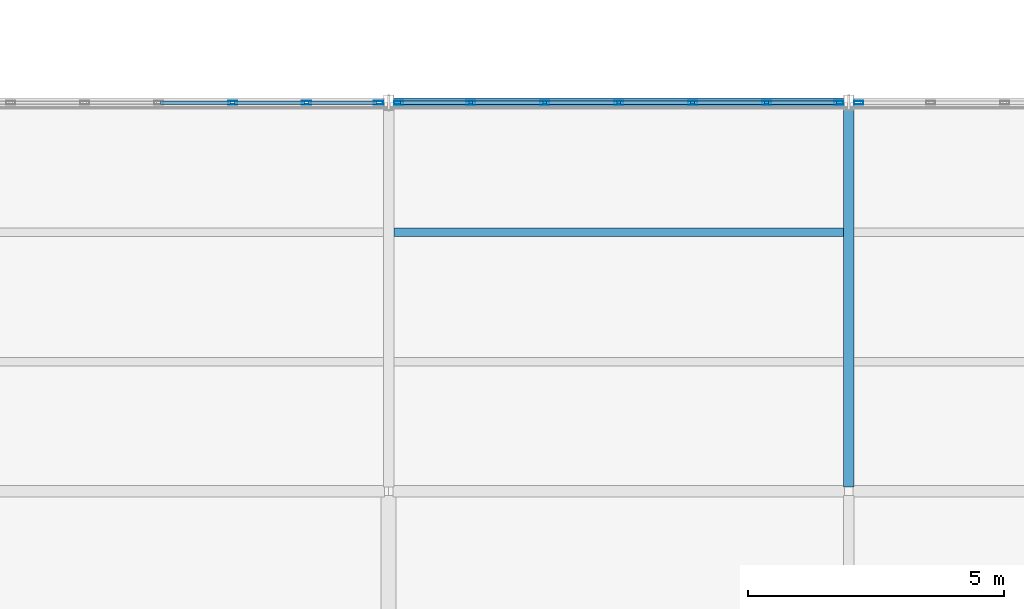
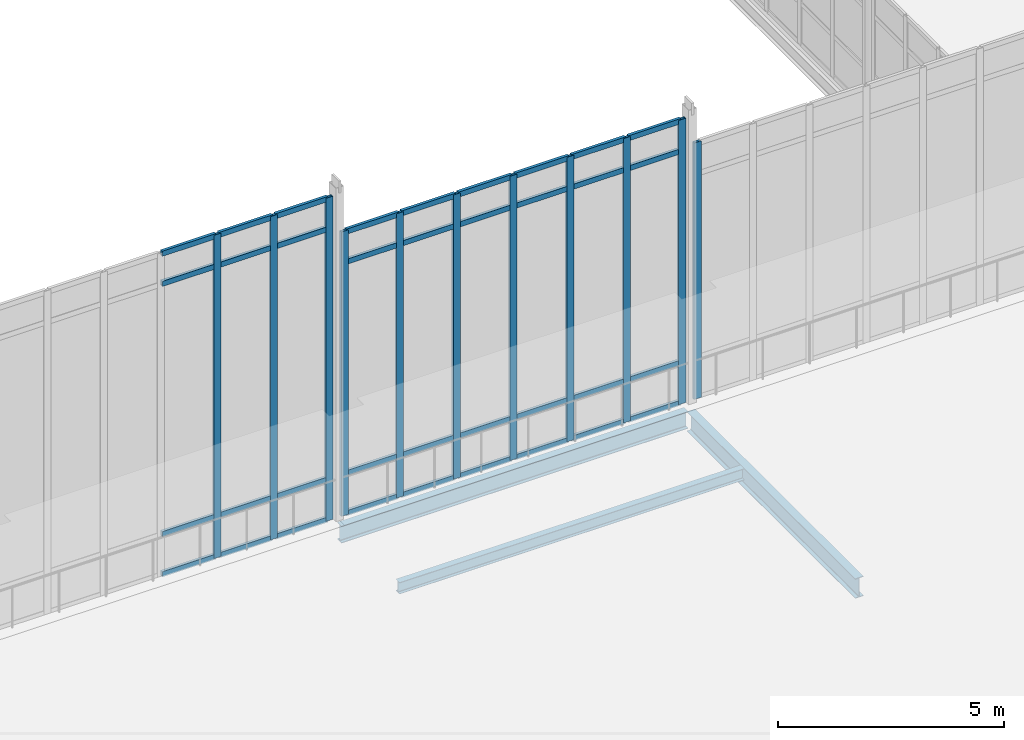
# One storey, part 51 of 166: 47 members, 3 beams, 3 elements without a shape of their own.
"""IFC4 building model written with IfcOpenShell, lengths in metres."""

import ifcopenshell
import ifcopenshell.guid

model = None  # the IFC model being written
_history = None  # IfcOwnerHistory: only IFC2X3 demands one
_inside = {}  # id of a spatial element -> (the spatial element, [elements in it])
_under = {}  # id of a project, library or spatial element -> (it, [spatial elements below it])
_declared = {}  # id of a project -> (the project, [libraries it declares])
_typed = {}  # id of a type object -> (the type object, [elements of that type])
_made_of = {}  # id of a material, layer set ... -> (it, [elements and type objects made of it])


def new_model(schema):
    """Start an empty IFC model of exactly this schema.

    Asked for "IFC4X3", IfcOpenShell would pick the latest addendum, in which some entities
    have other attributes; the version numbers below select the first issue.
    IFC2X3 requires an IfcOwnerHistory on every rooted entity: one is made here for all.
    """
    global model, _history
    if schema == "IFC4X3":
        model = ifcopenshell.file(schema_version=(4, 3, 0, 0))
    else:
        model = ifcopenshell.file(schema=schema)
    _inside.clear()
    _under.clear()
    _declared.clear()
    _typed.clear()
    _made_of.clear()
    _history = None
    if model.schema == "IFC2X3":
        org = make("IfcOrganization", Name="unknown")
        user = make(
            "IfcPersonAndOrganization",
            ThePerson=make("IfcPerson", FamilyName="unknown"),
            TheOrganization=org,
        )
        app = make(
            "IfcApplication",
            ApplicationDeveloper=org,
            Version="unknown",
            ApplicationFullName="unknown",
            ApplicationIdentifier="unknown",
        )
        _history = make(
            "IfcOwnerHistory",
            OwningUser=user,
            OwningApplication=app,
            ChangeAction="ADDED",
            CreationDate=0,
        )
    return model


def make(cls, **values):
    """One entity of the class cls with the attributes given. An attribute that is None is left unset."""
    return model.create_entity(
        cls, **{name: value for name, value in values.items() if value is not None}
    )


def rooted(cls, **values):
    """An entity with a GlobalId (a new one), such as an element, a storey or a relation."""
    return make(cls, GlobalId=ifcopenshell.guid.new(), OwnerHistory=_history, **values)


def si_unit(unit_type, name, prefix=None):
    """IfcSIUnit, for example si_unit("LENGTHUNIT", "METRE", prefix="MILLI")."""
    return make("IfcSIUnit", UnitType=unit_type, Prefix=prefix, Name=name)


def assignment(units):
    """IfcUnitAssignment: the units of a project."""
    return None if units is None else make("IfcUnitAssignment", Units=units)


def point(xyz):
    """IfcCartesianPoint."""
    return None if xyz is None else make("IfcCartesianPoint", Coordinates=xyz)


def direction(xyz):
    """IfcDirection."""
    return None if xyz is None else make("IfcDirection", DirectionRatios=xyz)


def frame(location, z_axis=None, x_axis=None):
    """IfcAxis2Placement3D, a coordinate frame: its origin and axes. An axis left out is left unset."""
    return make(
        "IfcAxis2Placement3D",
        Location=point(location),
        Axis=direction(z_axis),
        RefDirection=direction(x_axis),
    )


def frame_2d(location, x_axis=None):
    """IfcAxis2Placement2D, a coordinate frame in the plane: its origin and x axis."""
    return make(
        "IfcAxis2Placement2D", Location=point(location), RefDirection=direction(x_axis)
    )


def origin():
    """The frame at (0, 0, 0) with its axes left unset."""
    return frame((0.0, 0.0, 0.0))


def origin_2d():
    """The frame at (0, 0) in the plane with its x axis left unset."""
    return frame_2d((0.0, 0.0))


def place(relative_to, where):
    """IfcLocalPlacement: puts the frame where relative to a parent placement (None: the world)."""
    return make(
        "IfcLocalPlacement", PlacementRelTo=relative_to, RelativePlacement=where
    )


def context(
    kind, dimensions, precision=None, world=None, true_north=None, identifier=None
):
    """IfcGeometricRepresentationContext, for example the 3D "Model" context."""
    return make(
        "IfcGeometricRepresentationContext",
        ContextIdentifier=identifier,
        ContextType=kind,
        CoordinateSpaceDimension=dimensions,
        Precision=precision,
        WorldCoordinateSystem=world,
        TrueNorth=true_north,
    )


def subcontext(parent, identifier, kind, view, scale=None):
    """IfcGeometricRepresentationSubContext, for example "Body" below "Model"."""
    return make(
        "IfcGeometricRepresentationSubContext",
        ContextIdentifier=identifier,
        ContextType=kind,
        ParentContext=parent,
        TargetScale=scale,
        TargetView=view,
    )


def project(units=None, contexts=None):
    """IfcProject with its units and contexts."""
    return rooted(
        "IfcProject",
        Name="project",
        RepresentationContexts=contexts,
        UnitsInContext=assignment(units),
    )


def spatial(cls, under=None, at=None, **own):
    """A site, building, storey or space (cls), placed at a placement, below another one or the project."""
    s = rooted(cls, ObjectPlacement=at, **own)
    if under is not None:
        _under.setdefault(under.id(), (under, []))[1].append(s)
    return s


def profile(cls, at=None, kind="AREA", **sizes):
    """A parametric profile (cls). Its sizes go by their IFC names, for example OverallWidth=200.0."""
    return make(cls, ProfileType=kind, Position=at, **sizes)


def hollow_rectangle(**sizes):
    """IfcRectangleHollowProfileDef."""
    return profile("IfcRectangleHollowProfileDef", **sizes)


def i_section(**sizes):
    """IfcIShapeProfileDef."""
    return profile("IfcIShapeProfileDef", **sizes)


def extrude(swept, where, along, depth):
    """IfcExtrudedAreaSolid: the profile swept, set in the frame where, extruded along a direction by depth."""
    return make(
        "IfcExtrudedAreaSolid",
        SweptArea=swept,
        Position=where,
        ExtrudedDirection=direction(along),
        Depth=depth,
    )


def shape(context_of_items, identifier, shape_type, items):
    """IfcShapeRepresentation: the items that make up one representation, for example the "Body"."""
    return make(
        "IfcShapeRepresentation",
        ContextOfItems=context_of_items,
        RepresentationIdentifier=identifier,
        RepresentationType=shape_type,
        Items=items,
    )


def material(Name=None, Category=None):
    """IfcMaterial."""
    return make("IfcMaterial", Name=Name, Category=Category)


def material_profile(
    of_material, cross_section, Name=None, Category=None, Priority=None
):
    """IfcMaterialProfile: a cross section and its material."""
    return make(
        "IfcMaterialProfile",
        Name=Name,
        Material=of_material,
        Profile=cross_section,
        Priority=Priority,
        Category=Category,
    )


def profile_set(profiles, Name=None, composite=None):
    """IfcMaterialProfileSet."""
    return make(
        "IfcMaterialProfileSet",
        Name=Name,
        MaterialProfiles=profiles,
        CompositeProfile=composite,
    )


def made_of(thing, what):
    """Note that an element or type object is made of a material, layer set ...; save() writes the relation."""
    if what is not None:
        _made_of.setdefault(what.id(), (what, []))[1].append(thing)
    return thing


def type_object(cls, material=None, **own):
    """A type object (cls), such as IfcWallType, which elements share."""
    return made_of(rooted(cls, **own), material)


def element(
    cls,
    number,
    at=None,
    inside=None,
    cuts=None,
    type_object=None,
    material=None,
    context=None,
    identifier="Body",
    shape_type=None,
    held_by="IfcProductDefinitionShape",
    body=None,
    shapes=None,
    **own,
):
    """One element of the class cls, such as IfcWall. Its Tag is "e" and its number.

    at: its placement. inside: the storey or other place that contains it. cuts: it is an
    opening in that element (IfcRelVoidsElement). A single representation is given by context,
    identifier, shape_type and body (its items); several are given by shapes. held_by: the class
    of the entity that holds the representations. save() writes the other relations.
    """
    e = rooted(cls, Tag="e%d" % number, ObjectPlacement=at, **own)
    if body is not None:
        shapes = [shape(context, identifier, shape_type, body)]
    if shapes is not None:
        e.Representation = make(held_by, Representations=shapes)
    if inside is not None:
        _inside.setdefault(inside.id(), (inside, []))[1].append(e)
    if cuts is not None:
        rooted(
            "IfcRelVoidsElement", RelatingBuildingElement=cuts, RelatedOpeningElement=e
        )
    if type_object is not None:
        _typed.setdefault(type_object.id(), (type_object, []))[1].append(e)
    return made_of(e, material)


def aggregate(whole, parts):
    """IfcRelAggregates: a whole, such as a stair, and the parts it consists of."""
    return rooted("IfcRelAggregates", RelatingObject=whole, RelatedObjects=parts)


def save(model, path):
    """Write the relations noted so far, then the file.

    IfcRelAggregates (storeys below a building ...), IfcRelContainedInSpatialStructure (elements
    in a storey), IfcRelDefinesByType, IfcRelAssociatesMaterial and IfcRelDeclares: one each for
    every whole, place, type object, material and project.
    """
    for whole, parts in _under.values():
        aggregate(whole, parts)
    for where, things in _inside.values():
        rooted(
            "IfcRelContainedInSpatialStructure",
            RelatedElements=things,
            RelatingStructure=where,
        )
    for kind, things in _typed.values():
        rooted("IfcRelDefinesByType", RelatedObjects=things, RelatingType=kind)
    for what, things in _made_of.values():
        rooted("IfcRelAssociatesMaterial", RelatedObjects=things, RelatingMaterial=what)
    for by, libraries in _declared.values():
        rooted("IfcRelDeclares", RelatingContext=by, RelatedDefinitions=libraries)
    model.write(path)


model = new_model("IFC4")

# Units and contexts
model_context = context("Model", 3, precision=1e-05, world=origin(), true_north=direction((0.0, 1.0)))
body_context = subcontext(model_context, "Body", "Model", "MODEL_VIEW")
ifc_project = project(units=[si_unit("LENGTHUNIT", "METRE"), si_unit("AREAUNIT", "SQUARE_METRE"), si_unit("VOLUMEUNIT", "CUBIC_METRE"), si_unit("PLANEANGLEUNIT", "RADIAN"), si_unit("MASSUNIT", "GRAM", prefix="KILO")], contexts=[model_context])

# Site, building, storey
site_placement = place(None, origin())
site = spatial("IfcSite", under=ifc_project, at=site_placement, CompositionType="ELEMENT")
building_placement = place(site_placement, origin())
building = spatial("IfcBuilding", under=site, at=building_placement, Name="Caisbarro Railhouse Central Library", CompositionType="ELEMENT")
storey_placement = place(building_placement, frame((0.0, 0.0, 9.360107421875)))
storey = spatial("IfcBuildingStorey", under=building, at=storey_placement, Name="L02", CompositionType="ELEMENT", Elevation=9.360107421875)

# Beams
ifc_material_1 = material(Name="Steel ASTM A572 Grade 50", Category="steel")
ifc_material_profile_1 = material_profile(ifc_material_1, i_section(OverallWidth=0.208984375, OverallDepth=0.532958984375, WebThickness=0.01025390625, FlangeThickness=0.015625, FilletRadius=0.02001953125, at=origin_2d()), Name="W530X92.0")
ifc_profile_set_1 = profile_set([ifc_material_profile_1], Name="Steel ASTM A572 Grade 50")
beam_type_1 = type_object("IfcBeamType", Name="BM-G06", PredefinedType="BEAM", material=ifc_profile_set_1)
beam_1_placement = place(storey_placement, frame((45.0, 53.280029296875, -0.486572265625), z_axis=(0.0, 1.0, 0.0), x_axis=(-1.0, 0.0, 0.0)))
element("IfcBeam", 1, at=beam_1_placement, inside=storey, type_object=beam_type_1, Name="G06 beam L02 #1407", PredefinedType="BEAM", context=body_context, shape_type="SweptSolid", body=[
    extrude(i_section(OverallWidth=0.208984375, OverallDepth=0.532958984375, WebThickness=0.01025390625, FlangeThickness=0.015625, FilletRadius=0.02001953125, at=origin_2d()), origin(), (0.0, 0.0, 1.0), 7.43994140625),
])
ifc_material_profile_2 = material_profile(ifc_material_1, i_section(OverallWidth=0.1650390625, OverallDepth=0.31005859375, WebThickness=0.005859375, FlangeThickness=0.009765625, FilletRadius=0.011962890625, at=origin_2d()), Name="W310X38.7")
ifc_profile_set_2 = profile_set([ifc_material_profile_2], Name="Steel ASTM A572 Grade 50")
beam_type_2 = type_object("IfcBeamType", Name="BM-J03", PredefinedType="JOIST", material=ifc_profile_set_2)
beam_2_placement = place(storey_placement, frame((36.1044921875, 58.2666015625, -0.375), z_axis=(1.0, 0.0, 0.0), x_axis=(0.0, 1.0, 0.0)))
element("IfcBeam", 2, at=beam_2_placement, inside=storey, type_object=beam_type_2, Name="J03 beam L02 #1457", PredefinedType="JOIST", context=body_context, shape_type="SweptSolid", body=[
    extrude(i_section(OverallWidth=0.1650390625, OverallDepth=0.31005859375, WebThickness=0.005859375, FlangeThickness=0.009765625, FilletRadius=0.011962890625, at=origin_2d()), origin(), (0.0, 0.0, 1.0), 8.791015625),
])
ifc_material_profile_3 = material_profile(ifc_material_1, i_section(OverallWidth=0.18994140625, OverallDepth=0.45703125, WebThickness=0.009033203125, FlangeThickness=0.014404296875, FilletRadius=0.01806640625, at=origin_2d()), Name="W460X74.0")
ifc_profile_set_3 = profile_set([ifc_material_profile_3], Name="Steel ASTM A572 Grade 50")
beam_type_3 = type_object("IfcBeamType", Name="BM-SP01", PredefinedType="SPANDREL", material=ifc_profile_set_3)
beam_3_placement = place(storey_placement, frame((36.080078125, 60.800048828125, -0.448486328125), z_axis=(1.0, 0.0, 0.0), x_axis=(0.0, 1.0, 0.0)))
element("IfcBeam", 3, at=beam_3_placement, inside=storey, type_object=beam_type_3, Name="SP01 beam L02 #1384", PredefinedType="SPANDREL", context=body_context, shape_type="SweptSolid", body=[
    extrude(i_section(OverallWidth=0.18994140625, OverallDepth=0.45703125, WebThickness=0.009033203125, FlangeThickness=0.014404296875, FilletRadius=0.01806640625, at=origin_2d()), origin(), (0.0, 0.0, 1.0), 8.83984375),
])

# Curtain wall, members
ifc_material_2 = material(Name="Anodised architectural aluminium", Category="aluminium")
curtain_wall_type_1 = type_object("IfcCurtainWallType", Name="CW-CW05", PredefinedType="NOTDEFINED", material=ifc_material_2)
curtain_wall_1_placement = place(storey_placement, origin())
curtain_wall_1 = element("IfcCurtainWall", 4, at=curtain_wall_1_placement, inside=storey, type_object=curtain_wall_type_1, Name="CW05 curtain wall L02 #11", PredefinedType="NOTDEFINED")
ifc_material_profile_4 = material_profile(ifc_material_2, hollow_rectangle(XDim=0.074951171875, YDim=0.179931640625, WallThickness=0.00439453125, at=origin_2d()), Name="ALU-MUL-75X180")
ifc_profile_set_4 = profile_set([ifc_material_profile_4], Name="Anodised architectural aluminium")
member_type_1 = type_object("IfcMemberType", Name="CWM-M01", PredefinedType="MULLION", material=ifc_profile_set_4)
member_1_placement = place(storey_placement, frame((32.94677734375, 60.800048828125, 0.0), z_axis=(0.0, 0.0, 1.0), x_axis=(0.0, 1.0, 0.0)))
member_1 = element("IfcMember", 5, at=member_1_placement, type_object=member_type_1, Name="CW05 mullion 5", PredefinedType="MULLION", context=body_context, shape_type="SweptSolid", body=[
    extrude(hollow_rectangle(XDim=0.074951171875, YDim=0.179931640625, WallThickness=0.00439453125, at=origin_2d()), origin(), (0.0, 0.0, 1.0), 8.719970703125),
])
member_2_placement = place(storey_placement, frame((34.393310546875, 60.800048828125, 0.0), z_axis=(0.0, 0.0, 1.0), x_axis=(0.0, 1.0, 0.0)))
member_2 = element("IfcMember", 6, at=member_2_placement, type_object=member_type_1, Name="CW05 mullion 6", PredefinedType="MULLION", context=body_context, shape_type="SweptSolid", body=[
    extrude(hollow_rectangle(XDim=0.074951171875, YDim=0.179931640625, WallThickness=0.00439453125, at=origin_2d()), origin(), (0.0, 0.0, 1.0), 8.719970703125),
])
member_3_placement = place(storey_placement, frame((35.802490234375, 60.800048828125, 0.0), z_axis=(0.0, 0.0, 1.0), x_axis=(0.0, 1.0, 0.0)))
member_3 = element("IfcMember", 7, at=member_3_placement, type_object=member_type_1, Name="CW05 mullion 7", PredefinedType="MULLION", context=body_context, shape_type="SweptSolid", body=[
    extrude(hollow_rectangle(XDim=0.074951171875, YDim=0.179931640625, WallThickness=0.00439453125, at=origin_2d()), origin(), (0.0, 0.0, 1.0), 8.719970703125),
])

curtain_wall_type_2 = type_object("IfcCurtainWallType", Name="CW-CW04", PredefinedType="NOTDEFINED", material=ifc_material_2)
curtain_wall_2_placement = place(storey_placement, origin())
curtain_wall_2 = element("IfcCurtainWall", 8, at=curtain_wall_2_placement, inside=storey, type_object=curtain_wall_type_2, Name="CW04 curtain wall L02 #13", PredefinedType="NOTDEFINED")
member_4_placement = place(storey_placement, frame((36.197509765625, 60.800048828125, 0.0), z_axis=(0.0, 0.0, 1.0), x_axis=(0.0, 1.0, 0.0)))
member_4 = element("IfcMember", 9, at=member_4_placement, type_object=member_type_1, Name="CW04 mullion 1", PredefinedType="MULLION", context=body_context, shape_type="SweptSolid", body=[
    extrude(hollow_rectangle(XDim=0.074951171875, YDim=0.179931640625, WallThickness=0.00439453125, at=origin_2d()), origin(), (0.0, 0.0, 1.0), 7.669921875),
])
member_5_placement = place(storey_placement, frame((37.606689453125, 60.800048828125, 0.0), z_axis=(0.0, 0.0, 1.0), x_axis=(0.0, 1.0, 0.0)))
member_5 = element("IfcMember", 10, at=member_5_placement, type_object=member_type_1, Name="CW04 mullion 2", PredefinedType="MULLION", context=body_context, shape_type="SweptSolid", body=[
    extrude(hollow_rectangle(XDim=0.074951171875, YDim=0.179931640625, WallThickness=0.00439453125, at=origin_2d()), origin(), (0.0, 0.0, 1.0), 7.669921875),
])
member_6_placement = place(storey_placement, frame((39.05322265625, 60.800048828125, 0.0), z_axis=(0.0, 0.0, 1.0), x_axis=(0.0, 1.0, 0.0)))
member_6 = element("IfcMember", 11, at=member_6_placement, type_object=member_type_1, Name="CW04 mullion 3", PredefinedType="MULLION", context=body_context, shape_type="SweptSolid", body=[
    extrude(hollow_rectangle(XDim=0.074951171875, YDim=0.179931640625, WallThickness=0.00439453125, at=origin_2d()), origin(), (0.0, 0.0, 1.0), 7.669921875),
])
member_7_placement = place(storey_placement, frame((40.5, 60.800048828125, 0.0), z_axis=(0.0, 0.0, 1.0), x_axis=(0.0, 1.0, 0.0)))
member_7 = element("IfcMember", 12, at=member_7_placement, type_object=member_type_1, Name="CW04 mullion 4", PredefinedType="MULLION", context=body_context, shape_type="SweptSolid", body=[
    extrude(hollow_rectangle(XDim=0.074951171875, YDim=0.179931640625, WallThickness=0.00439453125, at=origin_2d()), origin(), (0.0, 0.0, 1.0), 7.669921875),
])
member_8_placement = place(storey_placement, frame((41.94677734375, 60.800048828125, 0.0), z_axis=(0.0, 0.0, 1.0), x_axis=(0.0, 1.0, 0.0)))
member_8 = element("IfcMember", 13, at=member_8_placement, type_object=member_type_1, Name="CW04 mullion 5", PredefinedType="MULLION", context=body_context, shape_type="SweptSolid", body=[
    extrude(hollow_rectangle(XDim=0.074951171875, YDim=0.179931640625, WallThickness=0.00439453125, at=origin_2d()), origin(), (0.0, 0.0, 1.0), 7.669921875),
])
member_9_placement = place(storey_placement, frame((43.393310546875, 60.800048828125, 0.0), z_axis=(0.0, 0.0, 1.0), x_axis=(0.0, 1.0, 0.0)))
member_9 = element("IfcMember", 14, at=member_9_placement, type_object=member_type_1, Name="CW04 mullion 6", PredefinedType="MULLION", context=body_context, shape_type="SweptSolid", body=[
    extrude(hollow_rectangle(XDim=0.074951171875, YDim=0.179931640625, WallThickness=0.00439453125, at=origin_2d()), origin(), (0.0, 0.0, 1.0), 7.669921875),
])
member_10_placement = place(storey_placement, frame((44.802490234375, 60.800048828125, 0.0), z_axis=(0.0, 0.0, 1.0), x_axis=(0.0, 1.0, 0.0)))
member_10 = element("IfcMember", 15, at=member_10_placement, type_object=member_type_1, Name="CW04 mullion 7", PredefinedType="MULLION", context=body_context, shape_type="SweptSolid", body=[
    extrude(hollow_rectangle(XDim=0.074951171875, YDim=0.179931640625, WallThickness=0.00439453125, at=origin_2d()), origin(), (0.0, 0.0, 1.0), 7.669921875),
])

# Curtain wall, member
curtain_wall_3_placement = place(storey_placement, origin())
curtain_wall_3 = element("IfcCurtainWall", 16, at=curtain_wall_3_placement, inside=storey, type_object=curtain_wall_type_2, Name="CW04 curtain wall L02 #16", PredefinedType="NOTDEFINED")
member_11_placement = place(storey_placement, frame((45.197509765625, 60.800048828125, 0.0), z_axis=(0.0, 0.0, 1.0), x_axis=(0.0, 1.0, 0.0)))
member_11 = element("IfcMember", 17, at=member_11_placement, type_object=member_type_1, Name="CW04 mullion 1", PredefinedType="MULLION", context=body_context, shape_type="SweptSolid", body=[
    extrude(hollow_rectangle(XDim=0.074951171875, YDim=0.179931640625, WallThickness=0.00439453125, at=origin_2d()), origin(), (0.0, 0.0, 1.0), 6.919921875),
])
aggregate(curtain_wall_3, [member_11])

# Member
ifc_material_profile_5 = material_profile(ifc_material_2, hollow_rectangle(XDim=0.074951171875, YDim=0.139892578125, WallThickness=0.00390625, at=origin_2d()), Name="ALU-TRN-75X140")
ifc_profile_set_5 = profile_set([ifc_material_profile_5], Name="Anodised architectural aluminium")
member_type_2 = type_object("IfcMemberType", Name="CWT-T01", PredefinedType="USERDEFINED", material=ifc_profile_set_5)
member_12_placement = place(storey_placement, frame((31.53759765625, 60.800048828125, 0.037353515625), z_axis=(1.0, 0.0, 0.0), x_axis=(0.0, 1.0, 0.0)))
member_12 = element("IfcMember", 18, at=member_12_placement, type_object=member_type_2, Name="CW05 transom 4.1", ObjectType="TRANSOM", PredefinedType="USERDEFINED", context=body_context, shape_type="SweptSolid", body=[
    extrude(hollow_rectangle(XDim=0.074951171875, YDim=0.139892578125, WallThickness=0.00390625, at=origin_2d()), origin(), (0.0, 0.0, 1.0), 1.37158203125),
])

member_13_placement = place(storey_placement, frame((31.53759765625, 60.800048828125, 1.119873046875), z_axis=(1.0, 0.0, 0.0), x_axis=(0.0, 1.0, 0.0)))
member_13 = element("IfcMember", 19, at=member_13_placement, type_object=member_type_2, Name="CW05 transom 4.2", ObjectType="TRANSOM", PredefinedType="USERDEFINED", context=body_context, shape_type="SweptSolid", body=[
    extrude(hollow_rectangle(XDim=0.074951171875, YDim=0.139892578125, WallThickness=0.00390625, at=origin_2d()), origin(), (0.0, 0.0, 1.0), 1.37158203125),
])

member_14_placement = place(storey_placement, frame((31.53759765625, 60.800048828125, 7.869873046875), z_axis=(1.0, 0.0, 0.0), x_axis=(0.0, 1.0, 0.0)))
member_14 = element("IfcMember", 20, at=member_14_placement, type_object=member_type_2, Name="CW05 transom 4.3", ObjectType="TRANSOM", PredefinedType="USERDEFINED", context=body_context, shape_type="SweptSolid", body=[
    extrude(hollow_rectangle(XDim=0.074951171875, YDim=0.139892578125, WallThickness=0.00390625, at=origin_2d()), origin(), (0.0, 0.0, 1.0), 1.37158203125),
])

member_15_placement = place(storey_placement, frame((31.53759765625, 60.800048828125, 8.682373046875), z_axis=(1.0, 0.0, 0.0), x_axis=(0.0, 1.0, 0.0)))
member_15 = element("IfcMember", 21, at=member_15_placement, type_object=member_type_2, Name="CW05 transom 4.4", ObjectType="TRANSOM", PredefinedType="USERDEFINED", context=body_context, shape_type="SweptSolid", body=[
    extrude(hollow_rectangle(XDim=0.074951171875, YDim=0.139892578125, WallThickness=0.00390625, at=origin_2d()), origin(), (0.0, 0.0, 1.0), 1.37158203125),
])

member_16_placement = place(storey_placement, frame((32.984130859375, 60.800048828125, 0.037353515625), z_axis=(1.0, 0.0, 0.0), x_axis=(0.0, 1.0, 0.0)))
member_16 = element("IfcMember", 22, at=member_16_placement, type_object=member_type_2, Name="CW05 transom 5.1", ObjectType="TRANSOM", PredefinedType="USERDEFINED", context=body_context, shape_type="SweptSolid", body=[
    extrude(hollow_rectangle(XDim=0.074951171875, YDim=0.139892578125, WallThickness=0.00390625, at=origin_2d()), origin(), (0.0, 0.0, 1.0), 1.37158203125),
])

member_17_placement = place(storey_placement, frame((32.984130859375, 60.800048828125, 1.119873046875), z_axis=(1.0, 0.0, 0.0), x_axis=(0.0, 1.0, 0.0)))
member_17 = element("IfcMember", 23, at=member_17_placement, type_object=member_type_2, Name="CW05 transom 5.2", ObjectType="TRANSOM", PredefinedType="USERDEFINED", context=body_context, shape_type="SweptSolid", body=[
    extrude(hollow_rectangle(XDim=0.074951171875, YDim=0.139892578125, WallThickness=0.00390625, at=origin_2d()), origin(), (0.0, 0.0, 1.0), 1.37158203125),
])

member_18_placement = place(storey_placement, frame((32.984130859375, 60.800048828125, 7.869873046875), z_axis=(1.0, 0.0, 0.0), x_axis=(0.0, 1.0, 0.0)))
member_18 = element("IfcMember", 24, at=member_18_placement, type_object=member_type_2, Name="CW05 transom 5.3", ObjectType="TRANSOM", PredefinedType="USERDEFINED", context=body_context, shape_type="SweptSolid", body=[
    extrude(hollow_rectangle(XDim=0.074951171875, YDim=0.139892578125, WallThickness=0.00390625, at=origin_2d()), origin(), (0.0, 0.0, 1.0), 1.37158203125),
])

member_19_placement = place(storey_placement, frame((32.984130859375, 60.800048828125, 8.682373046875), z_axis=(1.0, 0.0, 0.0), x_axis=(0.0, 1.0, 0.0)))
member_19 = element("IfcMember", 25, at=member_19_placement, type_object=member_type_2, Name="CW05 transom 5.4", ObjectType="TRANSOM", PredefinedType="USERDEFINED", context=body_context, shape_type="SweptSolid", body=[
    extrude(hollow_rectangle(XDim=0.074951171875, YDim=0.139892578125, WallThickness=0.00390625, at=origin_2d()), origin(), (0.0, 0.0, 1.0), 1.37158203125),
])

member_20_placement = place(storey_placement, frame((34.430908203125, 60.800048828125, 0.037353515625), z_axis=(1.0, 0.0, 0.0), x_axis=(0.0, 1.0, 0.0)))
member_20 = element("IfcMember", 26, at=member_20_placement, type_object=member_type_2, Name="CW05 transom 6.1", ObjectType="TRANSOM", PredefinedType="USERDEFINED", context=body_context, shape_type="SweptSolid", body=[
    extrude(hollow_rectangle(XDim=0.074951171875, YDim=0.139892578125, WallThickness=0.00390625, at=origin_2d()), origin(), (0.0, 0.0, 1.0), 1.333984375),
])

member_21_placement = place(storey_placement, frame((34.430908203125, 60.800048828125, 1.119873046875), z_axis=(1.0, 0.0, 0.0), x_axis=(0.0, 1.0, 0.0)))
member_21 = element("IfcMember", 27, at=member_21_placement, type_object=member_type_2, Name="CW05 transom 6.2", ObjectType="TRANSOM", PredefinedType="USERDEFINED", context=body_context, shape_type="SweptSolid", body=[
    extrude(hollow_rectangle(XDim=0.074951171875, YDim=0.139892578125, WallThickness=0.00390625, at=origin_2d()), origin(), (0.0, 0.0, 1.0), 1.333984375),
])

member_22_placement = place(storey_placement, frame((34.430908203125, 60.800048828125, 7.869873046875), z_axis=(1.0, 0.0, 0.0), x_axis=(0.0, 1.0, 0.0)))
member_22 = element("IfcMember", 28, at=member_22_placement, type_object=member_type_2, Name="CW05 transom 6.3", ObjectType="TRANSOM", PredefinedType="USERDEFINED", context=body_context, shape_type="SweptSolid", body=[
    extrude(hollow_rectangle(XDim=0.074951171875, YDim=0.139892578125, WallThickness=0.00390625, at=origin_2d()), origin(), (0.0, 0.0, 1.0), 1.333984375),
])

member_23_placement = place(storey_placement, frame((34.430908203125, 60.800048828125, 8.682373046875), z_axis=(1.0, 0.0, 0.0), x_axis=(0.0, 1.0, 0.0)))
member_23 = element("IfcMember", 29, at=member_23_placement, type_object=member_type_2, Name="CW05 transom 6.4", ObjectType="TRANSOM", PredefinedType="USERDEFINED", context=body_context, shape_type="SweptSolid", body=[
    extrude(hollow_rectangle(XDim=0.074951171875, YDim=0.139892578125, WallThickness=0.00390625, at=origin_2d()), origin(), (0.0, 0.0, 1.0), 1.333984375),
])

aggregate(curtain_wall_1, [member_1, member_2, member_3, member_12, member_13, member_14, member_15, member_16, member_17, member_18, member_19, member_20, member_21, member_22, member_23])

member_24_placement = place(storey_placement, frame((36.235107421875, 60.800048828125, 0.037353515625), z_axis=(1.0, 0.0, 0.0), x_axis=(0.0, 1.0, 0.0)))
member_24 = element("IfcMember", 30, at=member_24_placement, type_object=member_type_2, Name="CW04 transom 1.1", ObjectType="TRANSOM", PredefinedType="USERDEFINED", context=body_context, shape_type="SweptSolid", body=[
    extrude(hollow_rectangle(XDim=0.074951171875, YDim=0.139892578125, WallThickness=0.00390625, at=origin_2d()), origin(), (0.0, 0.0, 1.0), 1.333984375),
])

member_25_placement = place(storey_placement, frame((36.235107421875, 60.800048828125, 1.119873046875), z_axis=(1.0, 0.0, 0.0), x_axis=(0.0, 1.0, 0.0)))
member_25 = element("IfcMember", 31, at=member_25_placement, type_object=member_type_2, Name="CW04 transom 1.2", ObjectType="TRANSOM", PredefinedType="USERDEFINED", context=body_context, shape_type="SweptSolid", body=[
    extrude(hollow_rectangle(XDim=0.074951171875, YDim=0.139892578125, WallThickness=0.00390625, at=origin_2d()), origin(), (0.0, 0.0, 1.0), 1.333984375),
])

member_26_placement = place(storey_placement, frame((36.235107421875, 60.800048828125, 6.81982421875), z_axis=(1.0, 0.0, 0.0), x_axis=(0.0, 1.0, 0.0)))
member_26 = element("IfcMember", 32, at=member_26_placement, type_object=member_type_2, Name="CW04 transom 1.3", ObjectType="TRANSOM", PredefinedType="USERDEFINED", context=body_context, shape_type="SweptSolid", body=[
    extrude(hollow_rectangle(XDim=0.074951171875, YDim=0.139892578125, WallThickness=0.00390625, at=origin_2d()), origin(), (0.0, 0.0, 1.0), 1.333984375),
])

member_27_placement = place(storey_placement, frame((36.235107421875, 60.800048828125, 7.63232421875), z_axis=(1.0, 0.0, 0.0), x_axis=(0.0, 1.0, 0.0)))
member_27 = element("IfcMember", 33, at=member_27_placement, type_object=member_type_2, Name="CW04 transom 1.4", ObjectType="TRANSOM", PredefinedType="USERDEFINED", context=body_context, shape_type="SweptSolid", body=[
    extrude(hollow_rectangle(XDim=0.074951171875, YDim=0.139892578125, WallThickness=0.00390625, at=origin_2d()), origin(), (0.0, 0.0, 1.0), 1.333984375),
])

member_28_placement = place(storey_placement, frame((37.644287109375, 60.800048828125, 0.037353515625), z_axis=(1.0, 0.0, 0.0), x_axis=(0.0, 1.0, 0.0)))
member_28 = element("IfcMember", 34, at=member_28_placement, type_object=member_type_2, Name="CW04 transom 2.1", ObjectType="TRANSOM", PredefinedType="USERDEFINED", context=body_context, shape_type="SweptSolid", body=[
    extrude(hollow_rectangle(XDim=0.074951171875, YDim=0.139892578125, WallThickness=0.00390625, at=origin_2d()), origin(), (0.0, 0.0, 1.0), 1.37158203125),
])

member_29_placement = place(storey_placement, frame((37.644287109375, 60.800048828125, 1.119873046875), z_axis=(1.0, 0.0, 0.0), x_axis=(0.0, 1.0, 0.0)))
member_29 = element("IfcMember", 35, at=member_29_placement, type_object=member_type_2, Name="CW04 transom 2.2", ObjectType="TRANSOM", PredefinedType="USERDEFINED", context=body_context, shape_type="SweptSolid", body=[
    extrude(hollow_rectangle(XDim=0.074951171875, YDim=0.139892578125, WallThickness=0.00390625, at=origin_2d()), origin(), (0.0, 0.0, 1.0), 1.37158203125),
])

member_30_placement = place(storey_placement, frame((37.644287109375, 60.800048828125, 6.81982421875), z_axis=(1.0, 0.0, 0.0), x_axis=(0.0, 1.0, 0.0)))
member_30 = element("IfcMember", 36, at=member_30_placement, type_object=member_type_2, Name="CW04 transom 2.3", ObjectType="TRANSOM", PredefinedType="USERDEFINED", context=body_context, shape_type="SweptSolid", body=[
    extrude(hollow_rectangle(XDim=0.074951171875, YDim=0.139892578125, WallThickness=0.00390625, at=origin_2d()), origin(), (0.0, 0.0, 1.0), 1.37158203125),
])

member_31_placement = place(storey_placement, frame((37.644287109375, 60.800048828125, 7.63232421875), z_axis=(1.0, 0.0, 0.0), x_axis=(0.0, 1.0, 0.0)))
member_31 = element("IfcMember", 37, at=member_31_placement, type_object=member_type_2, Name="CW04 transom 2.4", ObjectType="TRANSOM", PredefinedType="USERDEFINED", context=body_context, shape_type="SweptSolid", body=[
    extrude(hollow_rectangle(XDim=0.074951171875, YDim=0.139892578125, WallThickness=0.00390625, at=origin_2d()), origin(), (0.0, 0.0, 1.0), 1.37158203125),
])

member_32_placement = place(storey_placement, frame((39.0908203125, 60.800048828125, 0.037353515625), z_axis=(1.0, 0.0, 0.0), x_axis=(0.0, 1.0, 0.0)))
member_32 = element("IfcMember", 38, at=member_32_placement, type_object=member_type_2, Name="CW04 transom 3.1", ObjectType="TRANSOM", PredefinedType="USERDEFINED", context=body_context, shape_type="SweptSolid", body=[
    extrude(hollow_rectangle(XDim=0.074951171875, YDim=0.139892578125, WallThickness=0.00390625, at=origin_2d()), origin(), (0.0, 0.0, 1.0), 1.37158203125),
])

member_33_placement = place(storey_placement, frame((39.0908203125, 60.800048828125, 1.119873046875), z_axis=(1.0, 0.0, 0.0), x_axis=(0.0, 1.0, 0.0)))
member_33 = element("IfcMember", 39, at=member_33_placement, type_object=member_type_2, Name="CW04 transom 3.2", ObjectType="TRANSOM", PredefinedType="USERDEFINED", context=body_context, shape_type="SweptSolid", body=[
    extrude(hollow_rectangle(XDim=0.074951171875, YDim=0.139892578125, WallThickness=0.00390625, at=origin_2d()), origin(), (0.0, 0.0, 1.0), 1.37158203125),
])

member_34_placement = place(storey_placement, frame((39.0908203125, 60.800048828125, 6.81982421875), z_axis=(1.0, 0.0, 0.0), x_axis=(0.0, 1.0, 0.0)))
member_34 = element("IfcMember", 40, at=member_34_placement, type_object=member_type_2, Name="CW04 transom 3.3", ObjectType="TRANSOM", PredefinedType="USERDEFINED", context=body_context, shape_type="SweptSolid", body=[
    extrude(hollow_rectangle(XDim=0.074951171875, YDim=0.139892578125, WallThickness=0.00390625, at=origin_2d()), origin(), (0.0, 0.0, 1.0), 1.37158203125),
])

member_35_placement = place(storey_placement, frame((39.0908203125, 60.800048828125, 7.63232421875), z_axis=(1.0, 0.0, 0.0), x_axis=(0.0, 1.0, 0.0)))
member_35 = element("IfcMember", 41, at=member_35_placement, type_object=member_type_2, Name="CW04 transom 3.4", ObjectType="TRANSOM", PredefinedType="USERDEFINED", context=body_context, shape_type="SweptSolid", body=[
    extrude(hollow_rectangle(XDim=0.074951171875, YDim=0.139892578125, WallThickness=0.00390625, at=origin_2d()), origin(), (0.0, 0.0, 1.0), 1.37158203125),
])

member_36_placement = place(storey_placement, frame((40.53759765625, 60.800048828125, 0.037353515625), z_axis=(1.0, 0.0, 0.0), x_axis=(0.0, 1.0, 0.0)))
member_36 = element("IfcMember", 42, at=member_36_placement, type_object=member_type_2, Name="CW04 transom 4.1", ObjectType="TRANSOM", PredefinedType="USERDEFINED", context=body_context, shape_type="SweptSolid", body=[
    extrude(hollow_rectangle(XDim=0.074951171875, YDim=0.139892578125, WallThickness=0.00390625, at=origin_2d()), origin(), (0.0, 0.0, 1.0), 1.37158203125),
])

member_37_placement = place(storey_placement, frame((40.53759765625, 60.800048828125, 1.119873046875), z_axis=(1.0, 0.0, 0.0), x_axis=(0.0, 1.0, 0.0)))
member_37 = element("IfcMember", 43, at=member_37_placement, type_object=member_type_2, Name="CW04 transom 4.2", ObjectType="TRANSOM", PredefinedType="USERDEFINED", context=body_context, shape_type="SweptSolid", body=[
    extrude(hollow_rectangle(XDim=0.074951171875, YDim=0.139892578125, WallThickness=0.00390625, at=origin_2d()), origin(), (0.0, 0.0, 1.0), 1.37158203125),
])

member_38_placement = place(storey_placement, frame((40.53759765625, 60.800048828125, 6.81982421875), z_axis=(1.0, 0.0, 0.0), x_axis=(0.0, 1.0, 0.0)))
member_38 = element("IfcMember", 44, at=member_38_placement, type_object=member_type_2, Name="CW04 transom 4.3", ObjectType="TRANSOM", PredefinedType="USERDEFINED", context=body_context, shape_type="SweptSolid", body=[
    extrude(hollow_rectangle(XDim=0.074951171875, YDim=0.139892578125, WallThickness=0.00390625, at=origin_2d()), origin(), (0.0, 0.0, 1.0), 1.37158203125),
])

member_39_placement = place(storey_placement, frame((40.53759765625, 60.800048828125, 7.63232421875), z_axis=(1.0, 0.0, 0.0), x_axis=(0.0, 1.0, 0.0)))
member_39 = element("IfcMember", 45, at=member_39_placement, type_object=member_type_2, Name="CW04 transom 4.4", ObjectType="TRANSOM", PredefinedType="USERDEFINED", context=body_context, shape_type="SweptSolid", body=[
    extrude(hollow_rectangle(XDim=0.074951171875, YDim=0.139892578125, WallThickness=0.00390625, at=origin_2d()), origin(), (0.0, 0.0, 1.0), 1.37158203125),
])

member_40_placement = place(storey_placement, frame((41.984130859375, 60.800048828125, 0.037353515625), z_axis=(1.0, 0.0, 0.0), x_axis=(0.0, 1.0, 0.0)))
member_40 = element("IfcMember", 46, at=member_40_placement, type_object=member_type_2, Name="CW04 transom 5.1", ObjectType="TRANSOM", PredefinedType="USERDEFINED", context=body_context, shape_type="SweptSolid", body=[
    extrude(hollow_rectangle(XDim=0.074951171875, YDim=0.139892578125, WallThickness=0.00390625, at=origin_2d()), origin(), (0.0, 0.0, 1.0), 1.37158203125),
])

member_41_placement = place(storey_placement, frame((41.984130859375, 60.800048828125, 1.119873046875), z_axis=(1.0, 0.0, 0.0), x_axis=(0.0, 1.0, 0.0)))
member_41 = element("IfcMember", 47, at=member_41_placement, type_object=member_type_2, Name="CW04 transom 5.2", ObjectType="TRANSOM", PredefinedType="USERDEFINED", context=body_context, shape_type="SweptSolid", body=[
    extrude(hollow_rectangle(XDim=0.074951171875, YDim=0.139892578125, WallThickness=0.00390625, at=origin_2d()), origin(), (0.0, 0.0, 1.0), 1.37158203125),
])

member_42_placement = place(storey_placement, frame((41.984130859375, 60.800048828125, 6.81982421875), z_axis=(1.0, 0.0, 0.0), x_axis=(0.0, 1.0, 0.0)))
member_42 = element("IfcMember", 48, at=member_42_placement, type_object=member_type_2, Name="CW04 transom 5.3", ObjectType="TRANSOM", PredefinedType="USERDEFINED", context=body_context, shape_type="SweptSolid", body=[
    extrude(hollow_rectangle(XDim=0.074951171875, YDim=0.139892578125, WallThickness=0.00390625, at=origin_2d()), origin(), (0.0, 0.0, 1.0), 1.37158203125),
])

member_43_placement = place(storey_placement, frame((41.984130859375, 60.800048828125, 7.63232421875), z_axis=(1.0, 0.0, 0.0), x_axis=(0.0, 1.0, 0.0)))
member_43 = element("IfcMember", 49, at=member_43_placement, type_object=member_type_2, Name="CW04 transom 5.4", ObjectType="TRANSOM", PredefinedType="USERDEFINED", context=body_context, shape_type="SweptSolid", body=[
    extrude(hollow_rectangle(XDim=0.074951171875, YDim=0.139892578125, WallThickness=0.00390625, at=origin_2d()), origin(), (0.0, 0.0, 1.0), 1.37158203125),
])

member_44_placement = place(storey_placement, frame((43.430908203125, 60.800048828125, 0.037353515625), z_axis=(1.0, 0.0, 0.0), x_axis=(0.0, 1.0, 0.0)))
member_44 = element("IfcMember", 50, at=member_44_placement, type_object=member_type_2, Name="CW04 transom 6.1", ObjectType="TRANSOM", PredefinedType="USERDEFINED", context=body_context, shape_type="SweptSolid", body=[
    extrude(hollow_rectangle(XDim=0.074951171875, YDim=0.139892578125, WallThickness=0.00390625, at=origin_2d()), origin(), (0.0, 0.0, 1.0), 1.333984375),
])

member_45_placement = place(storey_placement, frame((43.430908203125, 60.800048828125, 1.119873046875), z_axis=(1.0, 0.0, 0.0), x_axis=(0.0, 1.0, 0.0)))
member_45 = element("IfcMember", 51, at=member_45_placement, type_object=member_type_2, Name="CW04 transom 6.2", ObjectType="TRANSOM", PredefinedType="USERDEFINED", context=body_context, shape_type="SweptSolid", body=[
    extrude(hollow_rectangle(XDim=0.074951171875, YDim=0.139892578125, WallThickness=0.00390625, at=origin_2d()), origin(), (0.0, 0.0, 1.0), 1.333984375),
])

member_46_placement = place(storey_placement, frame((43.430908203125, 60.800048828125, 6.81982421875), z_axis=(1.0, 0.0, 0.0), x_axis=(0.0, 1.0, 0.0)))
member_46 = element("IfcMember", 52, at=member_46_placement, type_object=member_type_2, Name="CW04 transom 6.3", ObjectType="TRANSOM", PredefinedType="USERDEFINED", context=body_context, shape_type="SweptSolid", body=[
    extrude(hollow_rectangle(XDim=0.074951171875, YDim=0.139892578125, WallThickness=0.00390625, at=origin_2d()), origin(), (0.0, 0.0, 1.0), 1.333984375),
])

member_47_placement = place(storey_placement, frame((43.430908203125, 60.800048828125, 7.63232421875), z_axis=(1.0, 0.0, 0.0), x_axis=(0.0, 1.0, 0.0)))
member_47 = element("IfcMember", 53, at=member_47_placement, type_object=member_type_2, Name="CW04 transom 6.4", ObjectType="TRANSOM", PredefinedType="USERDEFINED", context=body_context, shape_type="SweptSolid", body=[
    extrude(hollow_rectangle(XDim=0.074951171875, YDim=0.139892578125, WallThickness=0.00390625, at=origin_2d()), origin(), (0.0, 0.0, 1.0), 1.333984375),
])

aggregate(curtain_wall_2, [member_4, member_5, member_6, member_7, member_8, member_9, member_10, member_24, member_25, member_26, member_27, member_28, member_29, member_30, member_31, member_32, member_33, member_34, member_35, member_36, member_37, member_38, member_39, member_40, member_41, member_42, member_43, member_44, member_45, member_46, member_47])

save(model, "model.ifc")
